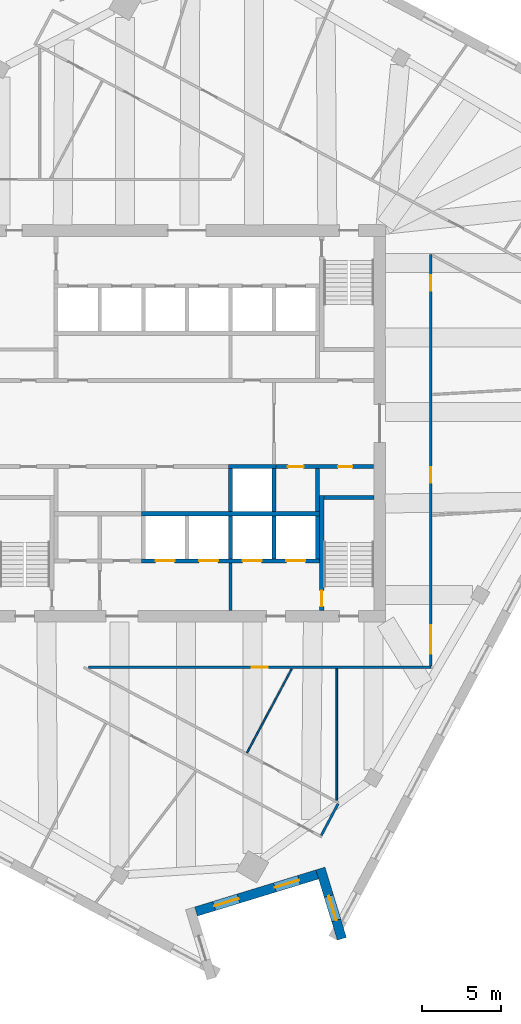
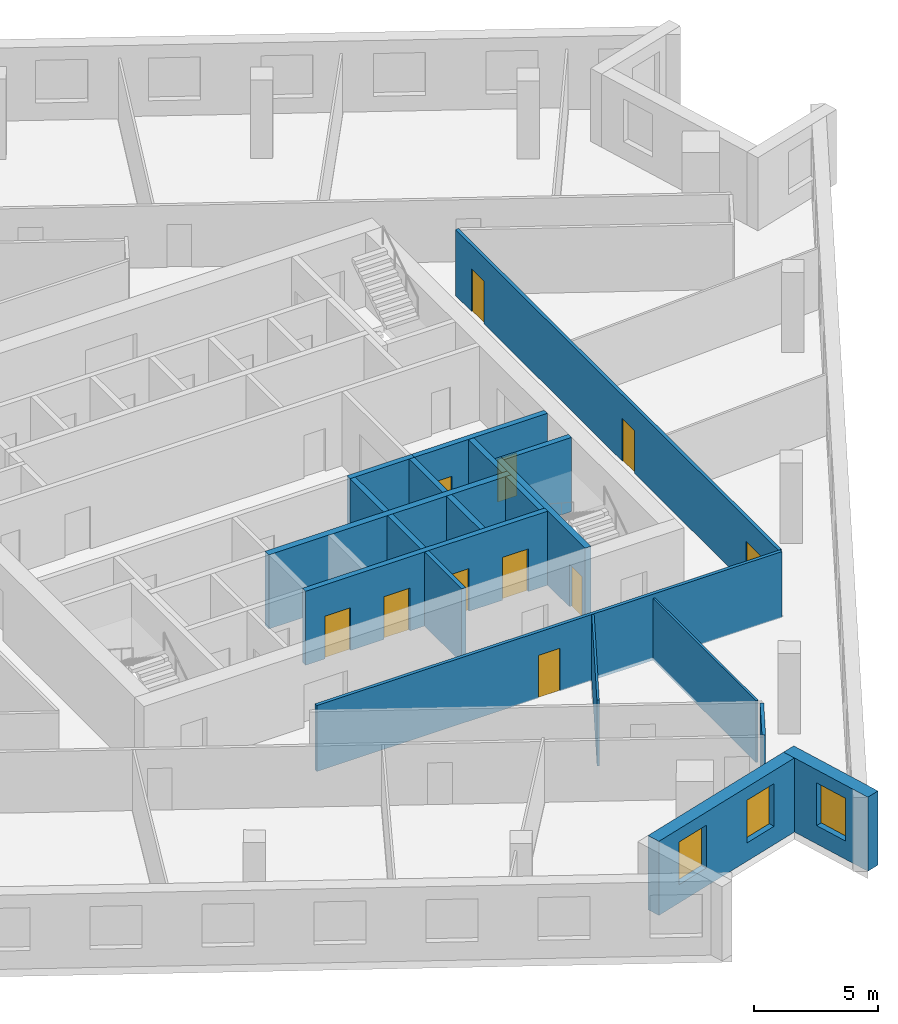
# One storey, part 7 of 13: 20 walls, 11 doors, 3 windows, 14 openings.
"""IFC4 building model written with IfcOpenShell, lengths in metres."""

import ifcopenshell
import ifcopenshell.guid

model = None  # the IFC model being written
_history = None  # IfcOwnerHistory: only IFC2X3 demands one
_inside = {}  # id of a spatial element -> (the spatial element, [elements in it])
_under = {}  # id of a project, library or spatial element -> (it, [spatial elements below it])
_declared = {}  # id of a project -> (the project, [libraries it declares])
_typed = {}  # id of a type object -> (the type object, [elements of that type])
_made_of = {}  # id of a material, layer set ... -> (it, [elements and type objects made of it])


def new_model(schema):
    """Start an empty IFC model of exactly this schema.

    Asked for "IFC4X3", IfcOpenShell would pick the latest addendum, in which some entities
    have other attributes; the version numbers below select the first issue.
    IFC2X3 requires an IfcOwnerHistory on every rooted entity: one is made here for all.
    """
    global model, _history
    if schema == "IFC4X3":
        model = ifcopenshell.file(schema_version=(4, 3, 0, 0))
    else:
        model = ifcopenshell.file(schema=schema)
    _inside.clear()
    _under.clear()
    _declared.clear()
    _typed.clear()
    _made_of.clear()
    _history = None
    if model.schema == "IFC2X3":
        org = make("IfcOrganization", Name="unknown")
        user = make(
            "IfcPersonAndOrganization",
            ThePerson=make("IfcPerson", FamilyName="unknown"),
            TheOrganization=org,
        )
        app = make(
            "IfcApplication",
            ApplicationDeveloper=org,
            Version="unknown",
            ApplicationFullName="unknown",
            ApplicationIdentifier="unknown",
        )
        _history = make(
            "IfcOwnerHistory",
            OwningUser=user,
            OwningApplication=app,
            ChangeAction="ADDED",
            CreationDate=0,
        )
    return model


def make(cls, **values):
    """One entity of the class cls with the attributes given. An attribute that is None is left unset."""
    return model.create_entity(
        cls, **{name: value for name, value in values.items() if value is not None}
    )


def rooted(cls, **values):
    """An entity with a GlobalId (a new one), such as an element, a storey or a relation."""
    return make(cls, GlobalId=ifcopenshell.guid.new(), OwnerHistory=_history, **values)


def si_unit(unit_type, name, prefix=None):
    """IfcSIUnit, for example si_unit("LENGTHUNIT", "METRE", prefix="MILLI")."""
    return make("IfcSIUnit", UnitType=unit_type, Prefix=prefix, Name=name)


def assignment(units):
    """IfcUnitAssignment: the units of a project."""
    return None if units is None else make("IfcUnitAssignment", Units=units)


def point(xyz):
    """IfcCartesianPoint."""
    return None if xyz is None else make("IfcCartesianPoint", Coordinates=xyz)


def direction(xyz):
    """IfcDirection."""
    return None if xyz is None else make("IfcDirection", DirectionRatios=xyz)


def frame(location, z_axis=None, x_axis=None):
    """IfcAxis2Placement3D, a coordinate frame: its origin and axes. An axis left out is left unset."""
    return make(
        "IfcAxis2Placement3D",
        Location=point(location),
        Axis=direction(z_axis),
        RefDirection=direction(x_axis),
    )


def frame_2d(location, x_axis=None):
    """IfcAxis2Placement2D, a coordinate frame in the plane: its origin and x axis."""
    return make(
        "IfcAxis2Placement2D", Location=point(location), RefDirection=direction(x_axis)
    )


def origin():
    """The frame at (0, 0, 0) with its axes left unset."""
    return frame((0.0, 0.0, 0.0))


def place(relative_to, where):
    """IfcLocalPlacement: puts the frame where relative to a parent placement (None: the world)."""
    return make(
        "IfcLocalPlacement", PlacementRelTo=relative_to, RelativePlacement=where
    )


def context(
    kind, dimensions, precision=None, world=None, true_north=None, identifier=None
):
    """IfcGeometricRepresentationContext, for example the 3D "Model" context."""
    return make(
        "IfcGeometricRepresentationContext",
        ContextIdentifier=identifier,
        ContextType=kind,
        CoordinateSpaceDimension=dimensions,
        Precision=precision,
        WorldCoordinateSystem=world,
        TrueNorth=true_north,
    )


def subcontext(parent, identifier, kind, view, scale=None):
    """IfcGeometricRepresentationSubContext, for example "Body" below "Model"."""
    return make(
        "IfcGeometricRepresentationSubContext",
        ContextIdentifier=identifier,
        ContextType=kind,
        ParentContext=parent,
        TargetScale=scale,
        TargetView=view,
    )


def project(units=None, contexts=None):
    """IfcProject with its units and contexts."""
    return rooted(
        "IfcProject",
        Name="project",
        RepresentationContexts=contexts,
        UnitsInContext=assignment(units),
    )


def spatial(cls, under=None, at=None, **own):
    """A site, building, storey or space (cls), placed at a placement, below another one or the project."""
    s = rooted(cls, ObjectPlacement=at, **own)
    if under is not None:
        _under.setdefault(under.id(), (under, []))[1].append(s)
    return s


def profile(cls, at=None, kind="AREA", **sizes):
    """A parametric profile (cls). Its sizes go by their IFC names, for example OverallWidth=200.0."""
    return make(cls, ProfileType=kind, Position=at, **sizes)


def rectangle(**sizes):
    """IfcRectangleProfileDef."""
    return profile("IfcRectangleProfileDef", **sizes)


def extrude(swept, where, along, depth):
    """IfcExtrudedAreaSolid: the profile swept, set in the frame where, extruded along a direction by depth."""
    return make(
        "IfcExtrudedAreaSolid",
        SweptArea=swept,
        Position=where,
        ExtrudedDirection=direction(along),
        Depth=depth,
    )


def shape(context_of_items, identifier, shape_type, items):
    """IfcShapeRepresentation: the items that make up one representation, for example the "Body"."""
    return make(
        "IfcShapeRepresentation",
        ContextOfItems=context_of_items,
        RepresentationIdentifier=identifier,
        RepresentationType=shape_type,
        Items=items,
    )


def material(Name=None, Category=None):
    """IfcMaterial."""
    return make("IfcMaterial", Name=Name, Category=Category)


def layer(
    of_material, thickness, ventilated=None, Name=None, Category=None, Priority=None
):
    """IfcMaterialLayer: one layer of a wall or slab, of a material (None: an air gap)."""
    return make(
        "IfcMaterialLayer",
        Material=of_material,
        LayerThickness=thickness,
        IsVentilated=ventilated,
        Name=Name,
        Category=Category,
        Priority=Priority,
    )


def layer_set(layers, Name=None):
    """IfcMaterialLayerSet."""
    return make("IfcMaterialLayerSet", MaterialLayers=layers, LayerSetName=Name)


def made_of(thing, what):
    """Note that an element or type object is made of a material, layer set ...; save() writes the relation."""
    if what is not None:
        _made_of.setdefault(what.id(), (what, []))[1].append(thing)
    return thing


def type_object(cls, material=None, **own):
    """A type object (cls), such as IfcWallType, which elements share."""
    return made_of(rooted(cls, **own), material)


def element(
    cls,
    number,
    at=None,
    inside=None,
    cuts=None,
    type_object=None,
    material=None,
    context=None,
    identifier="Body",
    shape_type=None,
    held_by="IfcProductDefinitionShape",
    body=None,
    shapes=None,
    **own,
):
    """One element of the class cls, such as IfcWall. Its Tag is "e" and its number.

    at: its placement. inside: the storey or other place that contains it. cuts: it is an
    opening in that element (IfcRelVoidsElement). A single representation is given by context,
    identifier, shape_type and body (its items); several are given by shapes. held_by: the class
    of the entity that holds the representations. save() writes the other relations.
    """
    e = rooted(cls, Tag="e%d" % number, ObjectPlacement=at, **own)
    if body is not None:
        shapes = [shape(context, identifier, shape_type, body)]
    if shapes is not None:
        e.Representation = make(held_by, Representations=shapes)
    if inside is not None:
        _inside.setdefault(inside.id(), (inside, []))[1].append(e)
    if cuts is not None:
        rooted(
            "IfcRelVoidsElement", RelatingBuildingElement=cuts, RelatedOpeningElement=e
        )
    if type_object is not None:
        _typed.setdefault(type_object.id(), (type_object, []))[1].append(e)
    return made_of(e, material)


def fill(opening, filler):
    """IfcRelFillsElement: the door or window that sits in an opening."""
    return rooted(
        "IfcRelFillsElement",
        RelatingOpeningElement=opening,
        RelatedBuildingElement=filler,
    )


def aggregate(whole, parts):
    """IfcRelAggregates: a whole, such as a stair, and the parts it consists of."""
    return rooted("IfcRelAggregates", RelatingObject=whole, RelatedObjects=parts)


def save(model, path):
    """Write the relations noted so far, then the file.

    IfcRelAggregates (storeys below a building ...), IfcRelContainedInSpatialStructure (elements
    in a storey), IfcRelDefinesByType, IfcRelAssociatesMaterial and IfcRelDeclares: one each for
    every whole, place, type object, material and project.
    """
    for whole, parts in _under.values():
        aggregate(whole, parts)
    for where, things in _inside.values():
        rooted(
            "IfcRelContainedInSpatialStructure",
            RelatedElements=things,
            RelatingStructure=where,
        )
    for kind, things in _typed.values():
        rooted("IfcRelDefinesByType", RelatedObjects=things, RelatingType=kind)
    for what, things in _made_of.values():
        rooted("IfcRelAssociatesMaterial", RelatedObjects=things, RelatingMaterial=what)
    for by, libraries in _declared.values():
        rooted("IfcRelDeclares", RelatingContext=by, RelatedDefinitions=libraries)
    model.write(path)


model = new_model("IFC4")

# Units and contexts
model_context = context("Model", 3, precision=1e-05, world=origin(), true_north=direction((0.0, 1.0)))
body_context = subcontext(model_context, "Body", "Model", "MODEL_VIEW")
ifc_project = project(units=[si_unit("LENGTHUNIT", "METRE"), si_unit("AREAUNIT", "SQUARE_METRE"), si_unit("VOLUMEUNIT", "CUBIC_METRE"), si_unit("PLANEANGLEUNIT", "RADIAN"), si_unit("MASSUNIT", "GRAM", prefix="KILO")], contexts=[model_context])

# Site, building, storey
site_placement = place(None, origin())
site = spatial("IfcSite", under=ifc_project, at=site_placement, CompositionType="ELEMENT")
building_placement = place(site_placement, origin())
building = spatial("IfcBuilding", under=site, at=building_placement, Name="Dilmun Exchange Tower", CompositionType="ELEMENT")
storey_placement = place(building_placement, frame((0.0, 0.0, 278.89990234375)))
storey = spatial("IfcBuildingStorey", under=building, at=storey_placement, Name="L66", CompositionType="ELEMENT", Elevation=278.89990234375)

# Walls
ifc_material_1 = material(Name="Concrete C40/50", Category="concrete")
ifc_layer_1 = layer(ifc_material_1, 0.199951171875)
ifc_layer_set_1 = layer_set([ifc_layer_1], Name="Concrete C40/50")
wall_type_1 = type_object("IfcWallType", Name="Core partition wall 200", PredefinedType="PARTITIONING", material=ifc_layer_set_1)
wall_1_placement = place(storey_placement, frame((2.75, -11.794921875, 0.0), z_axis=(0.0, 0.0, 1.0), x_axis=(0.0, 1.0, 0.0)))
element("IfcWall", 1, at=wall_1_placement, inside=storey, type_object=wall_type_1, Name="L66 core partition wall 02", PredefinedType="PARTITIONING", context=body_context, shape_type="SweptSolid", body=[
    extrude(rectangle(XDim=2.989990234375, YDim=0.199951171875, at=frame_2d((1.4951171875, 0.0))), origin(), (0.0, 0.0, 1.0), 3.64013671875),
])
ifc_layer_2 = layer(ifc_material_1, 0.25)
ifc_layer_set_2 = layer_set([ifc_layer_2], Name="Concrete C40/50")
wall_type_2 = type_object("IfcWallType", Name="Core partition wall 250", PredefinedType="PARTITIONING", material=ifc_layer_set_2)
wall_2_placement = place(storey_placement, frame((8.25, -5.544921875, 0.0), z_axis=(0.0, 0.0, 1.0), x_axis=(0.0, 1.0, 0.0)))
element("IfcWall", 2, at=wall_2_placement, inside=storey, type_object=wall_type_2, Name="L66 core partition wall 09", PredefinedType="PARTITIONING", context=body_context, shape_type="SweptSolid", body=[
    extrude(rectangle(XDim=2.68994140625, YDim=0.25, at=frame_2d((1.344970703125, 0.0))), origin(), (0.0, 0.0, 1.0), 3.64013671875),
])

# Wall, openings, doors
wall_3_placement = place(storey_placement, frame((5.6298828125, -2.72509765625, 0.0), z_axis=(0.0, 0.0, 1.0), x_axis=(1.0, 0.0, 0.0)))
wall_3 = element("IfcWall", 3, at=wall_3_placement, inside=storey, type_object=wall_type_2, Name="L66 core partition wall 11", PredefinedType="PARTITIONING", context=body_context, shape_type="SweptSolid", body=[
    extrude(rectangle(XDim=6.1650390625, YDim=0.25, at=frame_2d((3.08251953125, 0.0))), origin(), (0.0, 0.0, 1.0), 3.64013671875),
])
opening_1_placement = place(wall_3_placement, frame((0.7451171875, 0.0, 0.0)))
opening_1 = element("IfcOpeningElement", 4, at=opening_1_placement, cuts=wall_3, Name="Opening CD4", PredefinedType="OPENING", context=body_context, shape_type="SweptSolid", body=[
    extrude(rectangle(XDim=1.0, YDim=2.10009765625, at=frame_2d((0.5, 1.050048828125))), frame((0.0, 0.135009765625, 0.0), z_axis=(0.0, -1.0, 0.0), x_axis=(1.0, 0.0, 0.0)), (0.0, 0.0, 1.0), 0.27001953125),
])
opening_2_placement = place(wall_3_placement, frame((3.919921875, 0.0, 0.0)))
opening_2 = element("IfcOpeningElement", 5, at=opening_2_placement, cuts=wall_3, Name="Opening CD6", PredefinedType="OPENING", context=body_context, shape_type="SweptSolid", body=[
    extrude(rectangle(XDim=0.89990234375, YDim=2.10009765625, at=frame_2d((0.449951171875, 1.050048828125))), frame((0.0, 0.135009765625, 0.0), z_axis=(0.0, -1.0, 0.0), x_axis=(1.0, 0.0, 0.0)), (0.0, 0.0, 1.0), 0.27001953125),
])
ifc_material_2 = material(Name="Fire-rated steel door set", Category="steel")
door_type_1 = type_object("IfcDoorType", Name="Core room door 1000x2100", OperationType="SINGLE_SWING_LEFT", PredefinedType="DOOR", material=ifc_material_2)
door_1_placement = place(opening_1_placement, origin())
door_1 = element("IfcDoor", 6, at=door_1_placement, inside=storey, type_object=door_type_1, Name="L66 door Cleaners' store", OperationType="SINGLE_SWING_LEFT", OverallHeight=2.10009765625, OverallWidth=1.0, PredefinedType="DOOR", context=body_context, shape_type="SweptSolid", body=[
    extrude(rectangle(XDim=1.0, YDim=2.10009765625, at=frame_2d((0.5, 1.050048828125))), frame((0.0, 0.02490234375, 0.0), z_axis=(0.0, -1.0, 0.0), x_axis=(1.0, 0.0, 0.0)), (0.0, 0.0, 1.0), 0.050048828125),
])
fill(opening_1, door_1)
door_type_2 = type_object("IfcDoorType", Name="Core room door 900x2100", OperationType="SINGLE_SWING_LEFT", PredefinedType="DOOR", material=ifc_material_2)
door_2_placement = place(opening_2_placement, origin())
door_2 = element("IfcDoor", 7, at=door_2_placement, inside=storey, type_object=door_type_2, Name="L66 door Comms riser", OperationType="SINGLE_SWING_LEFT", OverallHeight=2.10009765625, OverallWidth=0.89990234375, PredefinedType="DOOR", context=body_context, shape_type="SweptSolid", body=[
    extrude(rectangle(XDim=0.89990234375, YDim=2.10009765625, at=frame_2d((0.449951171875, 1.050048828125))), frame((0.0, 0.02490234375, 0.0), z_axis=(0.0, -1.0, 0.0), x_axis=(1.0, 0.0, 0.0)), (0.0, 0.0, 1.0), 0.050048828125),
])
fill(opening_2, door_2)

# Wall, opening, door
ifc_material_3 = material(Name="Corridor wall 150")
ifc_layer_3 = layer(ifc_material_3, 0.14990234375)
ifc_layer_set_3 = layer_set([ifc_layer_3], Name="Corridor wall 150")
wall_type_3 = type_object("IfcWallType", Name="Corridor wall 150", PredefinedType="PARTITIONING", material=ifc_layer_set_3)
wall_4_placement = place(storey_placement, frame((-6.2001953125, -15.39990234375, 0.0), z_axis=(0.0, 0.0, 1.0), x_axis=(1.0, 0.0, 0.0)))
wall_4 = element("IfcWall", 8, at=wall_4_placement, inside=storey, type_object=wall_type_3, Name="Corridor wall", PredefinedType="PARTITIONING", context=body_context, shape_type="SweptSolid", body=[
    extrude(rectangle(XDim=21.60009765625, YDim=0.14990234375, at=frame_2d((10.800048828125, 0.0))), origin(), (0.0, 0.0, 1.0), 3.239990234375),
])
opening_3_placement = place(wall_4_placement, frame((10.300048828125, 0.0, 0.0)))
opening_3 = element("IfcOpeningElement", 9, at=opening_3_placement, cuts=wall_4, Name="Opening TF65-D11", PredefinedType="OPENING", context=body_context, shape_type="SweptSolid", body=[
    extrude(rectangle(XDim=1.0, YDim=2.10009765625, at=frame_2d((0.5, 1.050048828125))), frame((0.0, 0.0849609375, 0.0), z_axis=(0.0, -1.0, 0.0), x_axis=(1.0, 0.0, 0.0)), (0.0, 0.0, 1.0), 0.169921875),
])
ifc_material_4 = material(Name="Fire door 1000 x 2100")
door_type_3 = type_object("IfcDoorType", Name="Fire door 1000 x 2100", OperationType="NOTDEFINED", PredefinedType="DOOR", material=ifc_material_4)
door_3_placement = place(opening_3_placement, frame((1.0, 0.0, 0.0), z_axis=(0.0, 0.0, 1.0), x_axis=(-1.0, 0.0, 0.0)))
door_3 = element("IfcDoor", 10, at=door_3_placement, inside=storey, type_object=door_type_3, Name="Door TF65-D11", OperationType="SINGLE_SWING_LEFT", OverallHeight=2.10009765625, OverallWidth=1.0, PredefinedType="DOOR", context=body_context, shape_type="SweptSolid", body=[
    extrude(rectangle(XDim=1.0, YDim=2.10009765625, at=frame_2d((0.5, 1.050048828125))), frame((0.0, 0.02490234375, 0.0), z_axis=(0.0, -1.0, 0.0), x_axis=(1.0, 0.0, 0.0)), (0.0, 0.0, 1.0), 0.050048828125),
])
fill(opening_3, door_3)

# Wall
wall_5_placement = place(storey_placement, frame((8.486083984375, -26.001708984375, 0.0), z_axis=(0.0, 0.0, 1.0), x_axis=(0.469596777995, 0.882881003361, 0.0)))
element("IfcWall", 11, at=wall_5_placement, inside=storey, type_object=wall_type_3, Name="Corridor wall", PredefinedType="PARTITIONING", context=body_context, shape_type="SweptSolid", body=[
    extrude(rectangle(XDim=2.25, YDim=0.14990234375, at=frame_2d((1.125, 0.0))), origin(), (0.0, 0.0, 1.0), 3.0400390625),
])

# Wall, openings, doors
wall_6_placement = place(storey_placement, frame((15.39990234375, -15.324951171875, 0.0), z_axis=(0.0, 0.0, 1.0), x_axis=(0.0, 1.0, 0.0)))
wall_6 = element("IfcWall", 12, at=wall_6_placement, inside=storey, type_object=wall_type_3, Name="Corridor wall", PredefinedType="PARTITIONING", context=body_context, shape_type="SweptSolid", body=[
    extrude(rectangle(XDim=25.992919921875, YDim=0.14990234375, at=frame_2d((12.99658203125, 0.0))), origin(), (0.0, 0.0, 1.0), 3.239990234375),
])
opening_4_placement = place(wall_6_placement, frame((0.800048828125, 0.0, 0.0)))
opening_4 = element("IfcOpeningElement", 13, at=opening_4_placement, cuts=wall_6, Name="Opening TF65-D14", PredefinedType="OPENING", context=body_context, shape_type="SweptSolid", body=[
    extrude(rectangle(XDim=1.800048828125, YDim=2.10009765625, at=frame_2d((0.89990234375, 1.050048828125))), frame((0.0, 0.0849609375, 0.0), z_axis=(0.0, -1.0, 0.0), x_axis=(1.0, 0.0, 0.0)), (0.0, 0.0, 1.0), 0.169921875),
])
opening_5_placement = place(wall_6_placement, frame((11.566650390625, 0.0, 0.0)))
opening_5 = element("IfcOpeningElement", 14, at=opening_5_placement, cuts=wall_6, Name="Opening TF65-D18", PredefinedType="OPENING", context=body_context, shape_type="SweptSolid", body=[
    extrude(rectangle(XDim=1.0, YDim=2.10009765625, at=frame_2d((0.5, 1.050048828125))), frame((0.0, 0.0849609375, 0.0), z_axis=(0.0, -1.0, 0.0), x_axis=(1.0, 0.0, 0.0)), (0.0, 0.0, 1.0), 0.169921875),
])
opening_6_placement = place(wall_6_placement, frame((23.696044921875, 0.0, 0.0)))
opening_6 = element("IfcOpeningElement", 15, at=opening_6_placement, cuts=wall_6, Name="Opening TF65-D19", PredefinedType="OPENING", context=body_context, shape_type="SweptSolid", body=[
    extrude(rectangle(XDim=1.0, YDim=2.10009765625, at=frame_2d((0.5, 1.050048828125))), frame((0.0, 0.0849609375, 0.0), z_axis=(0.0, -1.0, 0.0), x_axis=(1.0, 0.0, 0.0)), (0.0, 0.0, 1.0), 0.169921875),
])
door_4_placement = place(opening_5_placement, frame((1.0, 0.0, 0.0), z_axis=(0.0, 0.0, 1.0), x_axis=(-1.0, 0.0, 0.0)))
door_4 = element("IfcDoor", 16, at=door_4_placement, inside=storey, type_object=door_type_3, Name="Door TF65-D18", OperationType="SINGLE_SWING_RIGHT", OverallHeight=2.10009765625, OverallWidth=1.0, PredefinedType="DOOR", context=body_context, shape_type="SweptSolid", body=[
    extrude(rectangle(XDim=1.0, YDim=2.10009765625, at=frame_2d((0.5, 1.050048828125))), frame((0.0, 0.02490234375, 0.0), z_axis=(0.0, -1.0, 0.0), x_axis=(1.0, 0.0, 0.0)), (0.0, 0.0, 1.0), 0.050048828125),
])
fill(opening_5, door_4)
door_5_placement = place(opening_6_placement, frame((1.0, 0.0, 0.0), z_axis=(0.0, 0.0, 1.0), x_axis=(-1.0, 0.0, 0.0)))
door_5 = element("IfcDoor", 17, at=door_5_placement, inside=storey, type_object=door_type_3, Name="Door TF65-D19", OperationType="SINGLE_SWING_LEFT", OverallHeight=2.10009765625, OverallWidth=1.0, PredefinedType="DOOR", context=body_context, shape_type="SweptSolid", body=[
    extrude(rectangle(XDim=1.0, YDim=2.10009765625, at=frame_2d((0.5, 1.050048828125))), frame((0.0, 0.02490234375, 0.0), z_axis=(0.0, -1.0, 0.0), x_axis=(1.0, 0.0, 0.0)), (0.0, 0.0, 1.0), 0.050048828125),
])
fill(opening_6, door_5)
ifc_material_5 = material(Name="Fire door pair 1800 x 2100")
door_type_4 = type_object("IfcDoorType", Name="Fire door pair 1800 x 2100", OperationType="NOTDEFINED", PredefinedType="DOOR", material=ifc_material_5)
door_6_placement = place(opening_4_placement, frame((1.800048828125, 0.0, 0.0), z_axis=(0.0, 0.0, 1.0), x_axis=(-1.0, 0.0, 0.0)))
door_6 = element("IfcDoor", 18, at=door_6_placement, inside=storey, type_object=door_type_4, Name="Door TF65-D14", OperationType="DOUBLE_DOOR_SINGLE_SWING", OverallHeight=2.10009765625, OverallWidth=1.800048828125, PredefinedType="DOOR", context=body_context, shape_type="SweptSolid", body=[
    extrude(rectangle(XDim=1.800048828125, YDim=2.10009765625, at=frame_2d((0.89990234375, 1.050048828125))), frame((0.0, 0.02490234375, 0.0), z_axis=(0.0, -1.0, 0.0), x_axis=(1.0, 0.0, 0.0)), (0.0, 0.0, 1.0), 0.050048828125),
])
fill(opening_4, door_6)

# Walls
ifc_layer_4 = layer(ifc_material_1, 0.300048828125)
ifc_layer_set_4 = layer_set([ifc_layer_4], Name="Concrete C40/50")
wall_type_4 = type_object("IfcWallType", Name="Lift shaft shared wall 300", PredefinedType="SOLIDWALL", material=ifc_layer_set_4)
wall_7_placement = place(storey_placement, frame((-2.875, -5.699951171875, 0.0), z_axis=(0.0, 0.0, 1.0), x_axis=(1.0, 0.0, 0.0)))
element("IfcWall", 19, at=wall_7_placement, inside=storey, type_object=wall_type_4, Name="L66 lift shaft rear wall S", PredefinedType="SOLIDWALL", context=body_context, shape_type="SweptSolid", body=[
    extrude(rectangle(XDim=11.25, YDim=0.300048828125, at=frame_2d((5.625, 0.0))), origin(), (0.0, 0.0, 1.0), 3.64013671875),
])
ifc_layer_5 = layer(ifc_material_1, 0.25)
ifc_layer_set_5 = layer_set([ifc_layer_5], Name="Concrete C40/50")
wall_type_5 = type_object("IfcWallType", Name="Lift shaft wall 250", PredefinedType="SOLIDWALL", material=ifc_layer_set_5)
wall_8_placement = place(storey_placement, frame((2.625, -2.72509765625, 0.0), z_axis=(0.0, 0.0, 1.0), x_axis=(1.0, 0.0, 0.0)))
element("IfcWall", 20, at=wall_8_placement, inside=storey, type_object=wall_type_5, Name="L66 lift shaft front wall S1", PredefinedType="SOLIDWALL", context=body_context, shape_type="SweptSolid", body=[
    extrude(rectangle(XDim=3.0, YDim=0.25, at=frame_2d((1.5, 0.0))), origin(), (0.0, 0.0, 1.0), 3.64013671875),
])
for number, where, z_axis, x_axis, name in (
    (21, (2.75, -5.550048828125, 0.0), (0.0, 0.0, 1.0), (0.0, 1.0, 0.0), "L66 lift shaft divider S14"),
    (22, (5.5, -5.550048828125, 0.0), (0.0, 0.0, 1.0), (0.0, 1.0, 0.0), "L66 lift shaft divider S15"),
):
    element("IfcWall", number, at=place(storey_placement, frame(where, z_axis=z_axis, x_axis=x_axis)), inside=storey, type_object=wall_type_5, Name=name, PredefinedType="SOLIDWALL", context=body_context, shape_type="SweptSolid", body=[
        extrude(rectangle(XDim=2.699951171875, YDim=0.25, at=frame_2d((1.35009765625, 0.0))), origin(), (0.0, 0.0, 1.0), 3.64013671875),
    ])

# Wall, openings, doors
wall_9_placement = place(storey_placement, frame((-2.875, -8.675048828125, 0.0), z_axis=(0.0, 0.0, 1.0), x_axis=(1.0, 0.0, 0.0)))
wall_9 = element("IfcWall", 23, at=wall_9_placement, inside=storey, type_object=wall_type_5, Name="L66 lift shaft front wall S2", PredefinedType="SOLIDWALL", context=body_context, shape_type="SweptSolid", body=[
    extrude(rectangle(XDim=11.25, YDim=0.25, at=frame_2d((5.625, 0.0))), origin(), (0.0, 0.0, 1.0), 3.64013671875),
])
opening_7_placement = place(wall_9_placement, frame((0.89990234375, 0.0, 0.0)))
opening_7 = element("IfcOpeningElement", 24, at=opening_7_placement, cuts=wall_9, Name="Opening LD", PredefinedType="OPENING", context=body_context, shape_type="SweptSolid", body=[
    extrude(rectangle(XDim=1.199951171875, YDim=2.10009765625, at=frame_2d((0.60009765625, 1.050048828125))), frame((0.0, 0.135009765625, 0.0), z_axis=(0.0, -1.0, 0.0), x_axis=(1.0, 0.0, 0.0)), (0.0, 0.0, 1.0), 0.27001953125),
])
opening_8_placement = place(wall_9_placement, frame((3.64990234375, 0.0, 0.0)))
opening_8 = element("IfcOpeningElement", 25, at=opening_8_placement, cuts=wall_9, Name="Opening LD", PredefinedType="OPENING", context=body_context, shape_type="SweptSolid", body=[
    extrude(rectangle(XDim=1.199951171875, YDim=2.10009765625, at=frame_2d((0.60009765625, 1.050048828125))), frame((0.0, 0.135009765625, 0.0), z_axis=(0.0, -1.0, 0.0), x_axis=(1.0, 0.0, 0.0)), (0.0, 0.0, 1.0), 0.27001953125),
])
opening_9_placement = place(wall_9_placement, frame((6.39990234375, 0.0, 0.0)))
opening_9 = element("IfcOpeningElement", 26, at=opening_9_placement, cuts=wall_9, Name="Opening LD", PredefinedType="OPENING", context=body_context, shape_type="SweptSolid", body=[
    extrude(rectangle(XDim=1.199951171875, YDim=2.10009765625, at=frame_2d((0.60009765625, 1.050048828125))), frame((0.0, 0.135009765625, 0.0), z_axis=(0.0, -1.0, 0.0), x_axis=(1.0, 0.0, 0.0)), (0.0, 0.0, 1.0), 0.27001953125),
])
opening_10_placement = place(wall_9_placement, frame((9.14990234375, 0.0, 0.0)))
opening_10 = element("IfcOpeningElement", 27, at=opening_10_placement, cuts=wall_9, Name="Opening LD", PredefinedType="OPENING", context=body_context, shape_type="SweptSolid", body=[
    extrude(rectangle(XDim=1.199951171875, YDim=2.10009765625, at=frame_2d((0.60009765625, 1.050048828125))), frame((0.0, 0.135009765625, 0.0), z_axis=(0.0, -1.0, 0.0), x_axis=(1.0, 0.0, 0.0)), (0.0, 0.0, 1.0), 0.27001953125),
])
door_type_5 = type_object("IfcDoorType", Name="Lift landing door 1200x2100", OperationType="DOUBLE_DOOR_SLIDING", PredefinedType="DOOR", material=ifc_material_2)
door_7_placement = place(opening_7_placement, origin())
door_7 = element("IfcDoor", 28, at=door_7_placement, inside=storey, type_object=door_type_5, Name="L66 landing door SV1", OperationType="DOUBLE_DOOR_SLIDING", OverallHeight=2.10009765625, OverallWidth=1.199951171875, PredefinedType="DOOR", context=body_context, shape_type="SweptSolid", body=[
    extrude(rectangle(XDim=1.199951171875, YDim=2.10009765625, at=frame_2d((0.60009765625, 1.050048828125))), frame((0.0, 0.02490234375, 0.0), z_axis=(0.0, -1.0, 0.0), x_axis=(1.0, 0.0, 0.0)), (0.0, 0.0, 1.0), 0.050048828125),
])
fill(opening_7, door_7)
door_8_placement = place(opening_8_placement, origin())
door_8 = element("IfcDoor", 29, at=door_8_placement, inside=storey, type_object=door_type_5, Name="L66 landing door SV2", OperationType="DOUBLE_DOOR_SLIDING", OverallHeight=2.10009765625, OverallWidth=1.199951171875, PredefinedType="DOOR", context=body_context, shape_type="SweptSolid", body=[
    extrude(rectangle(XDim=1.199951171875, YDim=2.10009765625, at=frame_2d((0.60009765625, 1.050048828125))), frame((0.0, 0.02490234375, 0.0), z_axis=(0.0, -1.0, 0.0), x_axis=(1.0, 0.0, 0.0)), (0.0, 0.0, 1.0), 0.050048828125),
])
fill(opening_8, door_8)
door_9_placement = place(opening_9_placement, origin())
door_9 = element("IfcDoor", 30, at=door_9_placement, inside=storey, type_object=door_type_5, Name="L66 landing door FF1", OperationType="DOUBLE_DOOR_SLIDING", OverallHeight=2.10009765625, OverallWidth=1.199951171875, PredefinedType="DOOR", context=body_context, shape_type="SweptSolid", body=[
    extrude(rectangle(XDim=1.199951171875, YDim=2.10009765625, at=frame_2d((0.60009765625, 1.050048828125))), frame((0.0, 0.02490234375, 0.0), z_axis=(0.0, -1.0, 0.0), x_axis=(1.0, 0.0, 0.0)), (0.0, 0.0, 1.0), 0.050048828125),
])
fill(opening_9, door_9)
door_10_placement = place(opening_10_placement, origin())
door_10 = element("IfcDoor", 31, at=door_10_placement, inside=storey, type_object=door_type_5, Name="L66 landing door FF2", OperationType="DOUBLE_DOOR_SLIDING", OverallHeight=2.10009765625, OverallWidth=1.199951171875, PredefinedType="DOOR", context=body_context, shape_type="SweptSolid", body=[
    extrude(rectangle(XDim=1.199951171875, YDim=2.10009765625, at=frame_2d((0.60009765625, 1.050048828125))), frame((0.0, 0.02490234375, 0.0), z_axis=(0.0, -1.0, 0.0), x_axis=(1.0, 0.0, 0.0)), (0.0, 0.0, 1.0), 0.050048828125),
])
fill(opening_10, door_10)

# Walls
for number, where, z_axis, x_axis, name in (
    (32, (2.75, -8.550048828125, 0.0), (0.0, 0.0, 1.0), (0.0, 1.0, 0.0), "L66 lift shaft divider S24"),
    (33, (5.5, -8.550048828125, 0.0), (0.0, 0.0, 1.0), (0.0, 1.0, 0.0), "L66 lift shaft divider S25"),
    (34, (8.25, -8.550048828125, 0.0), (0.0, 0.0, 1.0), (0.0, 1.0, 0.0), "L66 lift shaft divider S26"),
):
    element("IfcWall", number, at=place(storey_placement, frame(where, z_axis=z_axis, x_axis=x_axis)), inside=storey, type_object=wall_type_5, Name=name, PredefinedType="SOLIDWALL", context=body_context, shape_type="SweptSolid", body=[
        extrude(rectangle(XDim=2.699951171875, YDim=0.25, at=frame_2d((1.35009765625, 0.0))), origin(), (0.0, 0.0, 1.0), 3.64013671875),
    ])
ifc_material_6 = material(Name="Partition 100")
ifc_layer_6 = layer(ifc_material_6, 0.10009765625)
ifc_layer_set_6 = layer_set([ifc_layer_6], Name="Partition 100")
wall_type_6 = type_object("IfcWallType", Name="Partition 100", PredefinedType="PARTITIONING", material=ifc_layer_set_6)
wall_10_placement = place(storey_placement, frame((3.797119140625, -20.790771484375, 0.0), z_axis=(0.0, 0.0, 1.0), x_axis=(0.469539343426, 0.882911549916, 0.0)))
element("IfcWall", 35, at=wall_10_placement, inside=storey, type_object=wall_type_6, Name="Partition", PredefinedType="PARTITIONING", context=body_context, shape_type="SweptSolid", body=[
    extrude(rectangle(XDim=5.994140625, YDim=0.10009765625, at=frame_2d((2.9970703125, 0.0))), origin(), (0.0, 0.0, 1.0), 3.239990234375),
])
wall_11_placement = place(storey_placement, frame((9.4619140625, -23.775390625, 0.0), z_axis=(0.0, 0.0, 1.0), x_axis=(0.0, 1.0, 0.0)))
element("IfcWall", 36, at=wall_11_placement, inside=storey, type_object=wall_type_6, Name="Partition", PredefinedType="PARTITIONING", context=body_context, shape_type="SweptSolid", body=[
    extrude(rectangle(XDim=8.30029296875, YDim=0.10009765625, at=frame_2d((4.150146484375, 0.0))), origin(), (0.0, 0.0, 1.0), 3.0400390625),
])

# Wall, openings, windows
ifc_material_7 = material(Name="Precast concrete C50/60", Category="concrete")
ifc_layer_7 = layer(ifc_material_7, 0.60009765625)
ifc_layer_set_7 = layer_set([ifc_layer_7], Name="Precast concrete C50/60")
wall_type_7 = type_object("IfcWallType", Name="Precast stone-clad wall 600", PredefinedType="STANDARD", material=ifc_layer_set_7)
wall_12_placement = place(storey_placement, frame((0.579345703125, -30.81298828125, 0.0), z_axis=(0.0, 0.0, 1.0), x_axis=(0.95631057801, 0.292352660987, 0.0)))
wall_12 = element("IfcWall", 37, at=wall_12_placement, inside=storey, type_object=wall_type_7, Name="Facade wall L66-09", PredefinedType="STANDARD", context=body_context, shape_type="SweptSolid", body=[
    extrude(rectangle(XDim=8.000244140625, YDim=0.60009765625, at=frame_2d((4.0, 0.0))), origin(), (0.0, 0.0, 1.0), 3.64013671875),
])
opening_11_placement = place(wall_12_placement, frame((1.199951171875, 0.0, 0.89990234375)))
opening_11 = element("IfcOpeningElement", 38, at=opening_11_placement, cuts=wall_12, Name="Opening W160-210", PredefinedType="OPENING", context=body_context, shape_type="SweptSolid", body=[
    extrude(rectangle(XDim=1.60009765625, YDim=2.10009765625, at=frame_2d((0.800048828125, 1.050048828125))), frame((0.0, 0.31005859375, 0.0), z_axis=(0.0, -1.0, 0.0), x_axis=(1.0, 0.0, 0.0)), (0.0, 0.0, 1.0), 0.6201171875),
])
opening_12_placement = place(wall_12_placement, frame((5.199951171875, 0.0, 0.89990234375)))
opening_12 = element("IfcOpeningElement", 39, at=opening_12_placement, cuts=wall_12, Name="Opening W160-210", PredefinedType="OPENING", context=body_context, shape_type="SweptSolid", body=[
    extrude(rectangle(XDim=1.60009765625, YDim=2.10009765625, at=frame_2d((0.800048828125, 1.050048828125))), frame((0.0, 0.31005859375, 0.0), z_axis=(0.0, -1.0, 0.0), x_axis=(1.0, 0.0, 0.0)), (0.0, 0.0, 1.0), 0.6201171875),
])
ifc_material_8 = material(Name="Clear low-emissivity glass in aluminium frame", Category="aluminium")
window_type = type_object("IfcWindowType", Name="Punched window 1600 x 2100", PartitioningType="DOUBLE_PANEL_VERTICAL", PredefinedType="WINDOW", material=ifc_material_8)
window_1_placement = place(opening_11_placement, origin())
window_1 = element("IfcWindow", 40, at=window_1_placement, inside=storey, type_object=window_type, Name="Window 10.1", OverallHeight=2.10009765625, OverallWidth=1.60009765625, PartitioningType="SINGLE_PANEL", PredefinedType="WINDOW", context=body_context, shape_type="SweptSolid", body=[
    extrude(rectangle(XDim=1.60009765625, YDim=2.10009765625, at=frame_2d((0.800048828125, 1.050048828125))), frame((0.0, 0.030029296875, 0.0), z_axis=(0.0, -1.0, 0.0), x_axis=(1.0, 0.0, 0.0)), (0.0, 0.0, 1.0), 0.06005859375),
])
fill(opening_11, window_1)
window_2_placement = place(opening_12_placement, origin())
window_2 = element("IfcWindow", 41, at=window_2_placement, inside=storey, type_object=window_type, Name="Window 10.2", OverallHeight=2.10009765625, OverallWidth=1.60009765625, PartitioningType="SINGLE_PANEL", PredefinedType="WINDOW", context=body_context, shape_type="SweptSolid", body=[
    extrude(rectangle(XDim=1.60009765625, YDim=2.10009765625, at=frame_2d((0.800048828125, 1.050048828125))), frame((0.0, 0.030029296875, 0.0), z_axis=(0.0, -1.0, 0.0), x_axis=(1.0, 0.0, 0.0)), (0.0, 0.0, 1.0), 0.06005859375),
])
fill(opening_12, window_2)

# Wall, opening, window
wall_13_placement = place(storey_placement, frame((8.428955078125, -28.099609375, 0.0), z_axis=(0.0, 0.0, 1.0), x_axis=(0.2923643842, -0.956306994041, 0.0)))
wall_13 = element("IfcWall", 42, at=wall_13_placement, inside=storey, type_object=wall_type_7, Name="Facade wall L66-10", PredefinedType="STANDARD", context=body_context, shape_type="SweptSolid", body=[
    extrude(rectangle(XDim=4.635498046875, YDim=0.60009765625, at=frame_2d((2.31787109375, 0.0))), origin(), (0.0, 0.0, 1.0), 3.64013671875),
])
opening_13_placement = place(wall_13_placement, frame((1.81787109375, 0.0, 0.89990234375)))
opening_13 = element("IfcOpeningElement", 43, at=opening_13_placement, cuts=wall_13, Name="Opening W160-210", PredefinedType="OPENING", context=body_context, shape_type="SweptSolid", body=[
    extrude(rectangle(XDim=1.60009765625, YDim=2.10009765625, at=frame_2d((0.800048828125, 1.050048828125))), frame((0.0, 0.31005859375, 0.0), z_axis=(0.0, -1.0, 0.0), x_axis=(1.0, 0.0, 0.0)), (0.0, 0.0, 1.0), 0.6201171875),
])
window_3_placement = place(opening_13_placement, origin())
window_3 = element("IfcWindow", 44, at=window_3_placement, inside=storey, type_object=window_type, Name="Window 11.1", OverallHeight=2.10009765625, OverallWidth=1.60009765625, PartitioningType="SINGLE_PANEL", PredefinedType="WINDOW", context=body_context, shape_type="SweptSolid", body=[
    extrude(rectangle(XDim=1.60009765625, YDim=2.10009765625, at=frame_2d((0.800048828125, 1.050048828125))), frame((0.0, 0.030029296875, 0.0), z_axis=(0.0, -1.0, 0.0), x_axis=(1.0, 0.0, 0.0)), (0.0, 0.0, 1.0), 0.06005859375),
])
fill(opening_13, window_3)

# Wall
ifc_layer_8 = layer(ifc_material_1, 0.25)
ifc_layer_set_8 = layer_set([ifc_layer_8], Name="Concrete C40/50")
wall_type_8 = type_object("IfcWallType", Name="Stair end wall 250", PredefinedType="SOLIDWALL", material=ifc_layer_set_8)
wall_14_placement = place(storey_placement, frame((8.64990234375, -4.675048828125, 0.0), z_axis=(0.0, 0.0, 1.0), x_axis=(1.0, 0.0, 0.0)))
element("IfcWall", 45, at=wall_14_placement, inside=storey, type_object=wall_type_8, Name="L66 ST3 far wall", PredefinedType="SOLIDWALL", context=body_context, shape_type="SweptSolid", body=[
    extrude(rectangle(XDim=3.150146484375, YDim=0.25, at=frame_2d((1.5751953125, 0.0))), origin(), (0.0, 0.0, 1.0), 3.64013671875),
])

# Wall, opening, door
ifc_layer_9 = layer(ifc_material_1, 0.27490234375)
ifc_layer_set_9 = layer_set([ifc_layer_9], Name="Concrete C40/50")
wall_type_9 = type_object("IfcWallType", Name="Stair wall 275", PredefinedType="SOLIDWALL", material=ifc_layer_set_9)
wall_15_placement = place(storey_placement, frame((8.512451171875, -4.550048828125, 0.0), z_axis=(0.0, 0.0, 1.0), x_axis=(0.0, -1.0, 0.0)))
wall_15 = element("IfcWall", 46, at=wall_15_placement, inside=storey, type_object=wall_type_9, Name="L66 ST3 wall to lift block", PredefinedType="SOLIDWALL", context=body_context, shape_type="SweptSolid", body=[
    extrude(rectangle(XDim=7.25, YDim=0.27490234375, at=frame_2d((3.625, 0.0))), origin(), (0.0, 0.0, 1.0), 3.64013671875),
])
opening_14_placement = place(wall_15_placement, frame((6.0, 0.0, 0.0)))
opening_14 = element("IfcOpeningElement", 47, at=opening_14_placement, cuts=wall_15, Name="Opening CD4", PredefinedType="OPENING", context=body_context, shape_type="SweptSolid", body=[
    extrude(rectangle(XDim=1.0, YDim=2.10009765625, at=frame_2d((0.5, 1.050048828125))), frame((0.0, 0.1474609375, 0.0), z_axis=(0.0, -1.0, 0.0), x_axis=(1.0, 0.0, 0.0)), (0.0, 0.0, 1.0), 0.294921875),
])
door_11_placement = place(opening_14_placement, origin())
door_11 = element("IfcDoor", 48, at=door_11_placement, inside=storey, type_object=door_type_1, Name="L66 door ST3 from lobby", OperationType="SINGLE_SWING_LEFT", OverallHeight=2.10009765625, OverallWidth=1.0, PredefinedType="DOOR", context=body_context, shape_type="SweptSolid", body=[
    extrude(rectangle(XDim=1.0, YDim=2.10009765625, at=frame_2d((0.5, 1.050048828125))), frame((0.0, 0.02490234375, 0.0), z_axis=(0.0, -1.0, 0.0), x_axis=(1.0, 0.0, 0.0)), (0.0, 0.0, 1.0), 0.050048828125),
])
fill(opening_14, door_11)

save(model, "model.ifc")
